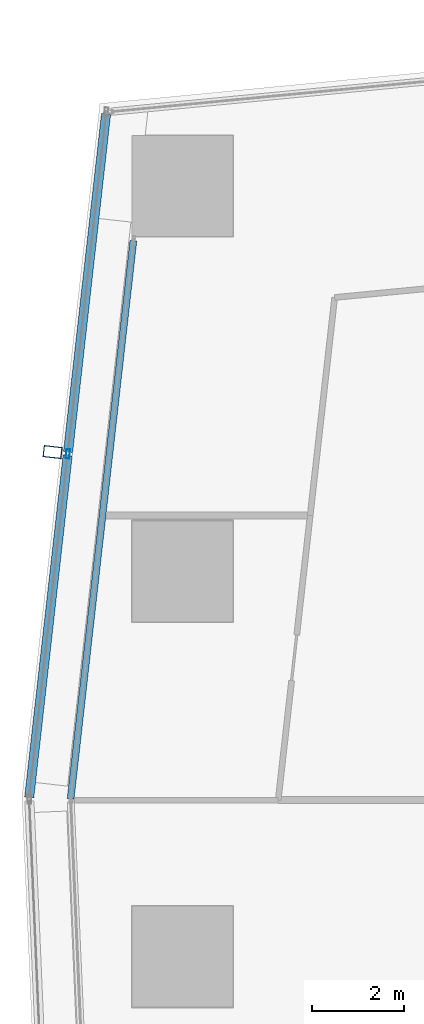
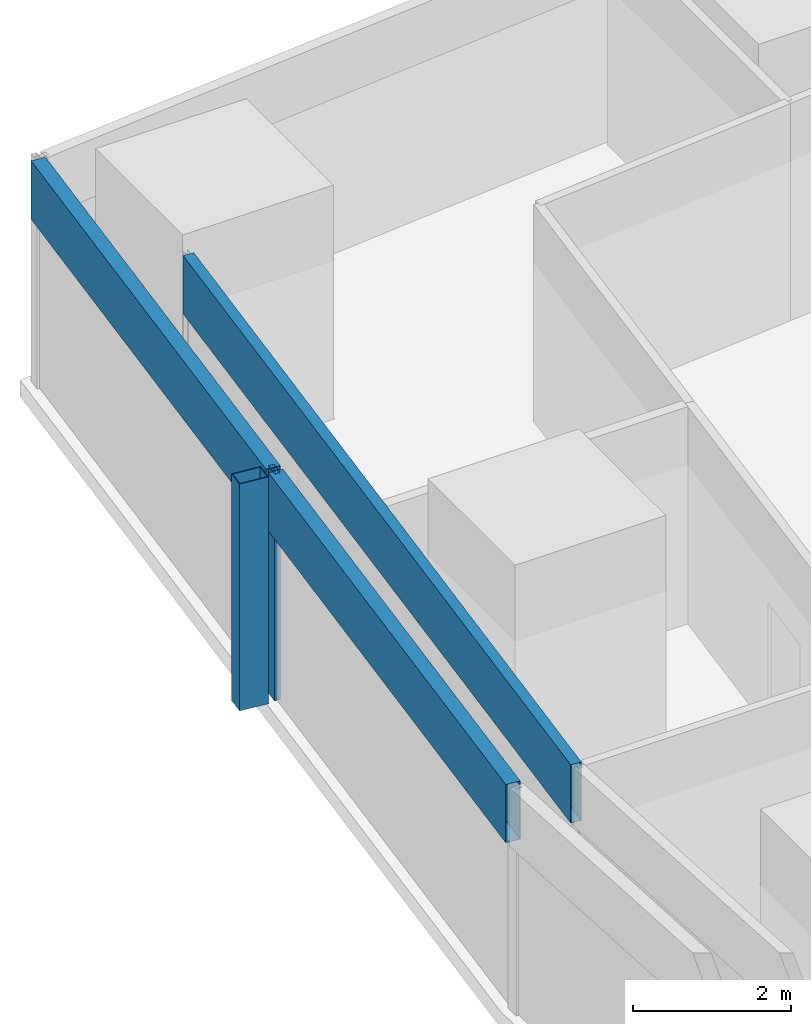
# One storey, part 15 of 45: 5 members, 2 elements without a shape of their own.
"""IFC4 building model written with IfcOpenShell, lengths in metres."""

from ifc_helpers import new_model, si_unit, direction, frame, origin, origin_2d, place, context, subcontext, project, spatial, hollow_rectangle, extrude, material, material_profile, profile_set, type_object, element, aggregate, save


model = new_model("IFC4")

# Units and contexts
model_context = context("Model", 3, precision=1e-05, world=origin(), true_north=direction((0.0, 1.0)))
body_context = subcontext(model_context, "Body", "Model", "MODEL_VIEW")
ifc_project = project(units=[si_unit("LENGTHUNIT", "METRE"), si_unit("AREAUNIT", "SQUARE_METRE"), si_unit("VOLUMEUNIT", "CUBIC_METRE"), si_unit("PLANEANGLEUNIT", "RADIAN"), si_unit("MASSUNIT", "GRAM", prefix="KILO")], contexts=[model_context])

# Site, building, storey
site_placement = place(None, origin())
site = spatial("IfcSite", under=ifc_project, at=site_placement, CompositionType="ELEMENT")
building_placement = place(site_placement, origin())
building = spatial("IfcBuilding", under=site, at=building_placement, Name="Rekha Terrace Tower", CompositionType="ELEMENT")
storey_placement = place(building_placement, frame((0.0, 0.0, 36.64990234375)))
storey = spatial("IfcBuildingStorey", under=building, at=storey_placement, Name="L08", CompositionType="ELEMENT", Elevation=36.64990234375)

# Curtain wall, member
ifc_material_1 = material(Name="Aluminium framing", Category="aluminium")
curtain_wall_type_1 = type_object("IfcCurtainWallType", Name="CW2 double skin outer glazing", PredefinedType="USERDEFINED", material=ifc_material_1)
curtain_wall_1_placement = place(storey_placement, origin())
curtain_wall_1 = element("IfcCurtainWall", 1, at=curtain_wall_1_placement, inside=storey, type_object=curtain_wall_type_1, Name="CW2 double skin outer glazing", ObjectType="DOUBLE SKIN OUTER GLAZING", PredefinedType="USERDEFINED")
ifc_material_2 = material(Name="Steel S355 with fluorocarbon finish", Category="steel")
ifc_material_profile_1 = material_profile(ifc_material_2, hollow_rectangle(XDim=0.25, YDim=0.39990234375, WallThickness=0.012451171875, at=origin_2d()), Name="RHS400x250x12.5")
ifc_profile_set_1 = profile_set([ifc_material_profile_1], Name="Steel S355 with fluorocarbon finish")
member_type_1 = type_object("IfcMemberType", Name="BL1 facade blade RHS 400 x 250", PredefinedType="USERDEFINED", material=ifc_profile_set_1)
member_1_placement = place(storey_placement, frame((5.569580078125, 53.001220703125, 0.0), z_axis=(0.0, 0.0, 1.0), x_axis=(-0.111729096216, -0.993738702607, 0.0)))
member_1 = element("IfcMember", 2, at=member_1_placement, type_object=member_type_1, Name="Facade blade", ObjectType="FACADE BLADE", PredefinedType="USERDEFINED", context=body_context, shape_type="SweptSolid", body=[
    extrude(hollow_rectangle(XDim=0.25, YDim=0.39990234375, WallThickness=0.012451171875, at=origin_2d()), origin(), (0.0, 0.0, 1.0), 3.5),
])

curtain_wall_type_2 = type_object("IfcCurtainWallType", Name="CW1 double skin inner glazing", PredefinedType="USERDEFINED", material=ifc_material_1)
curtain_wall_2_placement = place(storey_placement, origin())
curtain_wall_2 = element("IfcCurtainWall", 3, at=curtain_wall_2_placement, inside=storey, type_object=curtain_wall_type_2, Name="CW1 double skin inner glazing", ObjectType="DOUBLE SKIN INNER GLAZING", PredefinedType="USERDEFINED")
ifc_material_3 = material(Name="Insulated aluminium spandrel box", Category="aluminium")
ifc_material_profile_2 = material_profile(ifc_material_3, hollow_rectangle(XDim=0.14990234375, YDim=0.89990234375, WallThickness=0.0029296875, at=origin_2d()), Name="AL SPANDREL BOX 150x900")
ifc_profile_set_2 = profile_set([ifc_material_profile_2], Name="Insulated aluminium spandrel box")
member_type_2 = type_object("IfcMemberType", Name="CW1 spandrel transom 150 x 900", PredefinedType="USERDEFINED", material=ifc_profile_set_2)
member_2_placement = place(storey_placement, frame((7.33056640625, 57.611083984375, 3.050048828125), z_axis=(-0.111720442276, -0.993739675558, 0.0), x_axis=(0.993739675558, -0.111720442276, 0.0)))
member_2 = element("IfcMember", 4, at=member_2_placement, type_object=member_type_2, Name="CW1 spandrel transom 1", ObjectType="TRANSOM", PredefinedType="USERDEFINED", context=body_context, shape_type="SweptSolid", body=[
    extrude(hollow_rectangle(XDim=0.14990234375, YDim=0.89990234375, WallThickness=0.0029296875, at=origin_2d()), origin(), (0.0, 0.0, 1.0), 12.244140625),
])
aggregate(curtain_wall_2, [member_2])

# Member
ifc_material_4 = material(Name="Aluminium mullion section", Category="aluminium")
ifc_material_profile_3 = material_profile(ifc_material_4, hollow_rectangle(XDim=0.080078125, YDim=0.199951171875, WallThickness=0.00390625, at=origin_2d()), Name="AL RHS 80x200")
ifc_profile_set_3 = profile_set([ifc_material_profile_3], Name="Aluminium mullion section")
member_type_3 = type_object("IfcMemberType", Name="CW2 mullion RHS 80 x 200", PredefinedType="MULLION", material=ifc_profile_set_3)
member_3_placement = place(storey_placement, frame((5.90234375, 52.9638671875, 0.0), z_axis=(0.0, 0.0, 1.0), x_axis=(0.99373861552, -0.111729870782, 0.0)))
member_3 = element("IfcMember", 5, at=member_3_placement, type_object=member_type_3, Name="CW2 mullion 2", PredefinedType="MULLION", context=body_context, shape_type="SweptSolid", body=[
    extrude(hollow_rectangle(XDim=0.080078125, YDim=0.199951171875, WallThickness=0.00390625, at=origin_2d()), origin(), (0.0, 0.0, 1.0), 3.5),
])

ifc_material_profile_4 = material_profile(ifc_material_3, hollow_rectangle(XDim=0.199951171875, YDim=0.89990234375, WallThickness=0.0029296875, at=origin_2d()), Name="AL SPANDREL BOX 200x900")
ifc_profile_set_4 = profile_set([ifc_material_profile_4], Name="Insulated aluminium spandrel box")
member_type_4 = type_object("IfcMemberType", Name="CW2 spandrel transom 200 x 900", PredefinedType="USERDEFINED", material=ifc_profile_set_4)
member_4_placement = place(storey_placement, frame((6.735595703125, 60.37353515625, 3.050048828125), z_axis=(-0.111728537773, -0.993738765394, 0.0), x_axis=(0.993738765394, -0.111728537773, 0.0)))
member_4 = element("IfcMember", 6, at=member_4_placement, type_object=member_type_4, Name="CW2 spandrel transom 1", ObjectType="TRANSOM", PredefinedType="USERDEFINED", context=body_context, shape_type="SweptSolid", body=[
    extrude(hollow_rectangle(XDim=0.199951171875, YDim=0.89990234375, WallThickness=0.0029296875, at=origin_2d()), origin(), (0.0, 0.0, 1.0), 7.416259765625),
])

member_5_placement = place(storey_placement, frame((5.89794921875, 52.924072265625, 3.050048828125), z_axis=(-0.111739697795, -0.993737510582, 0.0), x_axis=(0.993737510582, -0.111739697795, 0.0)))
member_5 = element("IfcMember", 7, at=member_5_placement, type_object=member_type_4, Name="CW2 spandrel transom 2", ObjectType="TRANSOM", PredefinedType="USERDEFINED", context=body_context, shape_type="SweptSolid", body=[
    extrude(hollow_rectangle(XDim=0.199951171875, YDim=0.89990234375, WallThickness=0.0029296875, at=origin_2d()), origin(), (0.0, 0.0, 1.0), 7.496337890625),
])

aggregate(curtain_wall_1, [member_3, member_4, member_5, member_1])

save(model, "model.ifc")
